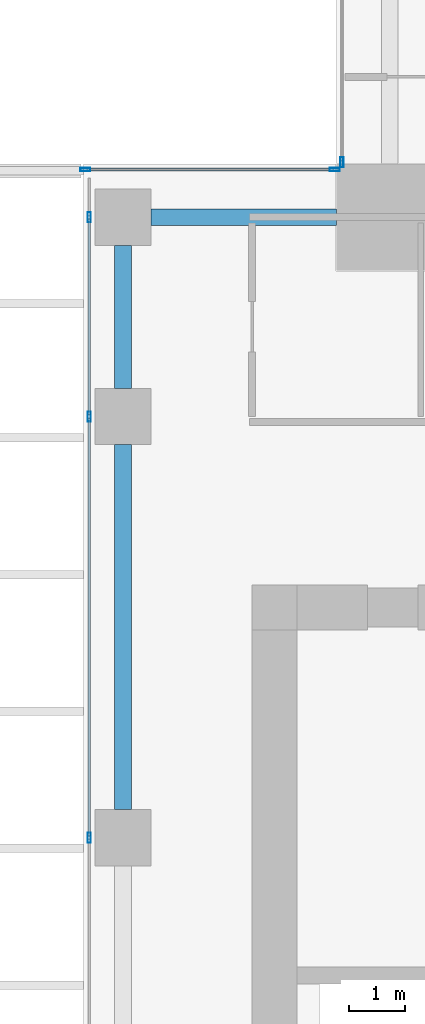
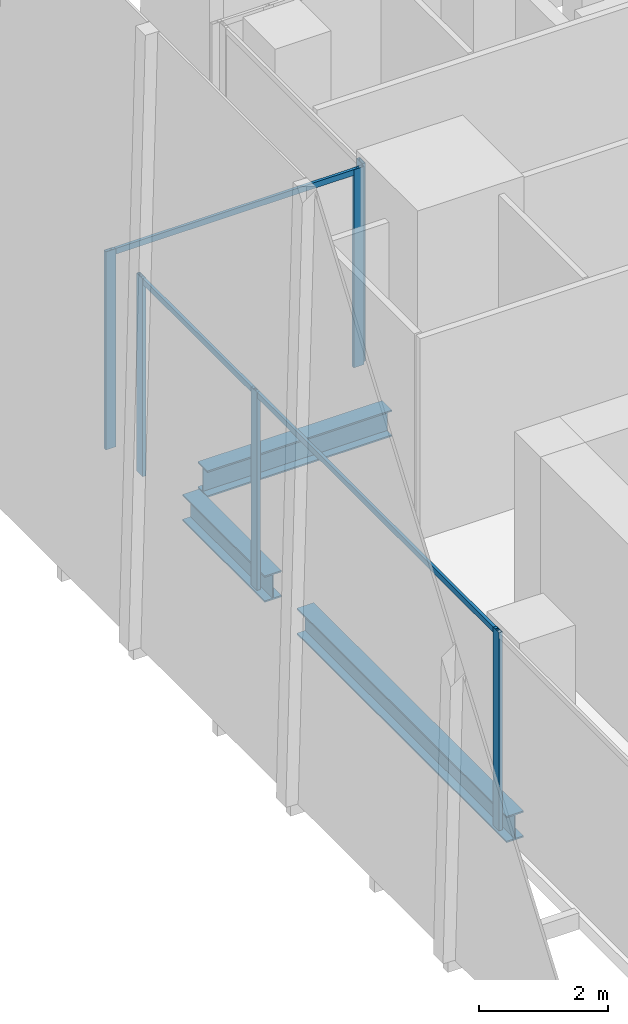
# One storey, part 17 of 40: 9 members, 3 beams, 3 elements without a shape of their own.
"""IFC4 building model written with IfcOpenShell, lengths in metres."""

from ifc_helpers import new_model, si_unit, direction, frame, origin, origin_2d, place, context, subcontext, project, spatial, hollow_rectangle, i_section, extrude, source, transform, mapped, material, material_profile, profile_set, type_object, element, aggregate, save


model = new_model("IFC4")

# Units and contexts
model_context = context("Model", 3, precision=1e-05, world=origin(), true_north=direction((0.0, 1.0)))
body_context = subcontext(model_context, "Body", "Model", "MODEL_VIEW")
ifc_project = project(units=[si_unit("LENGTHUNIT", "METRE"), si_unit("AREAUNIT", "SQUARE_METRE"), si_unit("VOLUMEUNIT", "CUBIC_METRE"), si_unit("PLANEANGLEUNIT", "RADIAN"), si_unit("MASSUNIT", "GRAM", prefix="KILO")], contexts=[model_context])

# Site, building, storey
site_placement = place(None, origin())
site = spatial("IfcSite", under=ifc_project, at=site_placement, CompositionType="ELEMENT")
building_placement = place(site_placement, origin())
building = spatial("IfcBuilding", under=site, at=building_placement, Name="Khomas Fold Tower", CompositionType="ELEMENT")
storey_placement = place(building_placement, frame((0.0, 0.0, 176.699951171875)))
storey = spatial("IfcBuildingStorey", under=building, at=storey_placement, Name="L38", CompositionType="ELEMENT", Elevation=176.699951171875)

# Beams
ifc_material_1 = material(Name="Steel S355", Category="steel")
ifc_material_profile_1 = material_profile(ifc_material_1, i_section(OverallWidth=0.300048828125, OverallDepth=0.5, WebThickness=0.014404296875, FlangeThickness=0.028076171875, at=origin_2d()), Name="HE 500 B")
ifc_profile_set_1 = profile_set([ifc_material_profile_1], Name="Steel S355")
beam_type = type_object("IfcBeamType", Name="HE 500 B spandrel SB3", PredefinedType="SPANDREL", material=ifc_profile_set_1)
shared_shape_1 = source(origin(), body_context, "Body", "SweptSolid", [
    extrude(i_section(OverallWidth=0.300048828125, OverallDepth=0.5, WebThickness=0.014404296875, FlangeThickness=0.028076171875, at=origin_2d()), origin(), (0.0, 0.0, 1.0), 2.550048828125),
])
beam_1_placement = place(storey_placement, frame((3.699951171875, 42.5, -0.5), z_axis=(0.0, 1.0, 0.0), x_axis=(-1.0, 0.0, 0.0)))
element("IfcBeam", 1, at=beam_1_placement, inside=storey, type_object=beam_type, Name="SB3", PredefinedType="SPANDREL", context=body_context, shape_type="MappedRepresentation", body=[
    mapped(shared_shape_1, transform((0.0, 0.0, 0.0))),
])
shared_shape_2 = source(origin(), body_context, "Body", "SweptSolid", [
    extrude(i_section(OverallWidth=0.300048828125, OverallDepth=0.5, WebThickness=0.014404296875, FlangeThickness=0.028076171875, at=origin_2d()), origin(), (0.0, 0.0, 1.0), 6.5),
])
beam_2_placement = place(storey_placement, frame((3.699951171875, 35.0, -0.5), z_axis=(0.0, 1.0, 0.0), x_axis=(-1.0, 0.0, 0.0)))
element("IfcBeam", 2, at=beam_2_placement, inside=storey, type_object=beam_type, Name="SB3", PredefinedType="SPANDREL", context=body_context, shape_type="MappedRepresentation", body=[
    mapped(shared_shape_2, transform((0.0, 0.0, 0.0))),
])
shared_shape_3 = source(origin(), body_context, "Body", "SweptSolid", [
    extrude(i_section(OverallWidth=0.300048828125, OverallDepth=0.5, WebThickness=0.014404296875, FlangeThickness=0.028076171875, at=origin_2d()), origin(), (0.0, 0.0, 1.0), 3.300048828125),
])
beam_3_placement = place(storey_placement, frame((4.199951171875, 45.550048828125, -0.5), z_axis=(1.0, 0.0, 0.0), x_axis=(0.0, 1.0, 0.0)))
element("IfcBeam", 3, at=beam_3_placement, inside=storey, type_object=beam_type, Name="SB3", PredefinedType="SPANDREL", context=body_context, shape_type="MappedRepresentation", body=[
    mapped(shared_shape_3, transform((0.0, 0.0, 0.0))),
])

# Curtain wall, member
ifc_material_2 = material(Name="Aluminium framed double glazing", Category="aluminium")
curtain_wall_type = type_object("IfcCurtainWallType", Name="SK-Unitised clear-glass wall, office floors CW2", PredefinedType="NOTDEFINED", material=ifc_material_2)
curtain_wall_1_placement = place(storey_placement, origin())
curtain_wall_1 = element("IfcCurtainWall", 4, at=curtain_wall_1_placement, inside=storey, type_object=curtain_wall_type, Name="CW2 corner return L38 16", PredefinedType="NOTDEFINED")
ifc_material_3 = material(Name="Aluminium", Category="aluminium")
ifc_material_profile_2 = material_profile(ifc_material_3, hollow_rectangle(XDim=0.06005859375, YDim=0.179931640625, WallThickness=0.00390625, at=origin_2d()), Name="SK-Unitised clear-glass wall, office floors mullion CW2-M")
ifc_profile_set_2 = profile_set([ifc_material_profile_2], Name="Aluminium")
member_type_1 = type_object("IfcMemberType", Name="SK-Unitised clear-glass wall, office floors mullion CW2-M", PredefinedType="MULLION", material=ifc_profile_set_2)
shared_shape_4 = source(origin(), body_context, "Body", "SweptSolid", [
    extrude(hollow_rectangle(XDim=0.06005859375, YDim=0.179931640625, WallThickness=0.00390625, at=origin_2d()), origin(), (0.0, 0.0, 1.0), 3.75),
])
member_1_placement = place(storey_placement, frame((7.60009765625, 46.530029296875, 0.0), z_axis=(0.0, 0.0, 1.0), x_axis=(1.0, 0.0, 0.0)))
member_1 = element("IfcMember", 5, at=member_1_placement, type_object=member_type_1, Name="CW2 mullion 2", PredefinedType="MULLION", context=body_context, shape_type="MappedRepresentation", body=[
    mapped(shared_shape_4, transform((0.0, 0.0, 0.0))),
])
aggregate(curtain_wall_1, [member_1])

# Curtain wall, members
curtain_wall_2_placement = place(storey_placement, origin())
curtain_wall_2 = element("IfcCurtainWall", 6, at=curtain_wall_2_placement, inside=storey, type_object=curtain_wall_type, Name="CW2 corner return L38 17", PredefinedType="NOTDEFINED")
member_2_placement = place(storey_placement, frame((7.469970703125, 46.39990234375, 0.0), z_axis=(0.0, 0.0, 1.0), x_axis=(0.0, -1.0, 0.0)))
member_2 = element("IfcMember", 7, at=member_2_placement, type_object=member_type_1, Name="CW2 mullion 1", PredefinedType="MULLION", context=body_context, shape_type="MappedRepresentation", body=[
    mapped(shared_shape_4, transform((0.0, 0.0, 0.0))),
])
member_3_placement = place(storey_placement, frame((3.030029296875, 46.39990234375, 0.0), z_axis=(0.0, 0.0, 1.0), x_axis=(0.0, -1.0, 0.0)))
member_3 = element("IfcMember", 8, at=member_3_placement, type_object=member_type_1, Name="CW2 mullion 2", PredefinedType="MULLION", context=body_context, shape_type="MappedRepresentation", body=[
    mapped(shared_shape_4, transform((0.0, 0.0, 0.0))),
])

curtain_wall_3_placement = place(storey_placement, origin())
curtain_wall_3 = element("IfcCurtainWall", 9, at=curtain_wall_3_placement, inside=storey, type_object=curtain_wall_type, Name="CW2 run L38 18-0", PredefinedType="NOTDEFINED")
member_4_placement = place(storey_placement, frame((3.10009765625, 45.550048828125, 0.0), z_axis=(0.0, 0.0, 1.0), x_axis=(1.0, 0.0, 0.0)))
member_4 = element("IfcMember", 10, at=member_4_placement, type_object=member_type_1, Name="CW2 mullion 2", PredefinedType="MULLION", context=body_context, shape_type="MappedRepresentation", body=[
    mapped(shared_shape_4, transform((0.0, 0.0, 0.0))),
])
member_5_placement = place(storey_placement, frame((3.10009765625, 42.0, 0.0), z_axis=(0.0, 0.0, 1.0), x_axis=(1.0, 0.0, 0.0)))
member_5 = element("IfcMember", 11, at=member_5_placement, type_object=member_type_1, Name="CW2 mullion 3", PredefinedType="MULLION", context=body_context, shape_type="MappedRepresentation", body=[
    mapped(shared_shape_4, transform((0.0, 0.0, 0.0))),
])
member_6_placement = place(storey_placement, frame((3.10009765625, 34.5, 0.0), z_axis=(0.0, 0.0, 1.0), x_axis=(1.0, 0.0, 0.0)))
member_6 = element("IfcMember", 12, at=member_6_placement, type_object=member_type_1, Name="CW2 mullion 4", PredefinedType="MULLION", context=body_context, shape_type="MappedRepresentation", body=[
    mapped(shared_shape_4, transform((0.0, 0.0, 0.0))),
])

# Member
ifc_material_4 = material(Name="Aluminium", Category="aluminium")
ifc_material_profile_3 = material_profile(ifc_material_4, hollow_rectangle(XDim=0.050048828125, YDim=0.110107421875, WallThickness=0.00390625, at=origin_2d()), Name="SK-Unitised clear-glass wall, office floors transom CW2-T")
ifc_profile_set_3 = profile_set([ifc_material_profile_3], Name="Aluminium")
member_type_2 = type_object("IfcMemberType", Name="SK-Unitised clear-glass wall, office floors transom CW2-T", PredefinedType="USERDEFINED", material=ifc_profile_set_3)
shared_shape_5 = source(origin(), body_context, "Body", "SweptSolid", [
    extrude(hollow_rectangle(XDim=0.050048828125, YDim=0.110107421875, WallThickness=0.00390625, at=origin_2d()), origin(), (0.0, 0.0, 1.0), 4.3798828125),
])
member_7_placement = place(storey_placement, frame((7.43994140625, 46.39990234375, 3.695068359375), z_axis=(-1.0, 0.0, 0.0), x_axis=(0.0, -1.0, 0.0)))
member_7 = element("IfcMember", 13, at=member_7_placement, type_object=member_type_2, Name="CW2 transom 1", ObjectType="TRANSOM", PredefinedType="USERDEFINED", context=body_context, shape_type="MappedRepresentation", body=[
    mapped(shared_shape_5, transform((0.0, 0.0, 0.0))),
])

aggregate(curtain_wall_2, [member_2, member_3, member_7])

shared_shape_6 = source(origin(), body_context, "Body", "SweptSolid", [
    extrude(hollow_rectangle(XDim=0.050048828125, YDim=0.110107421875, WallThickness=0.00390625, at=origin_2d()), origin(), (0.0, 0.0, 1.0), 3.489990234375),
])
member_8_placement = place(storey_placement, frame((3.10009765625, 45.52001953125, 3.695068359375), z_axis=(0.0, -1.0, 0.0), x_axis=(1.0, 0.0, 0.0)))
member_8 = element("IfcMember", 14, at=member_8_placement, type_object=member_type_2, Name="CW2 transom 2", ObjectType="TRANSOM", PredefinedType="USERDEFINED", context=body_context, shape_type="MappedRepresentation", body=[
    mapped(shared_shape_6, transform((0.0, 0.0, 0.0))),
])

shared_shape_7 = source(origin(), body_context, "Body", "SweptSolid", [
    extrude(hollow_rectangle(XDim=0.050048828125, YDim=0.110107421875, WallThickness=0.00390625, at=origin_2d()), origin(), (0.0, 0.0, 1.0), 7.43994140625),
])
member_9_placement = place(storey_placement, frame((3.10009765625, 41.969970703125, 3.695068359375), z_axis=(0.0, -1.0, 0.0), x_axis=(1.0, 0.0, 0.0)))
member_9 = element("IfcMember", 15, at=member_9_placement, type_object=member_type_2, Name="CW2 transom 3", ObjectType="TRANSOM", PredefinedType="USERDEFINED", context=body_context, shape_type="MappedRepresentation", body=[
    mapped(shared_shape_7, transform((0.0, 0.0, 0.0))),
])

aggregate(curtain_wall_3, [member_4, member_5, member_6, member_8, member_9])

save(model, "model.ifc")
